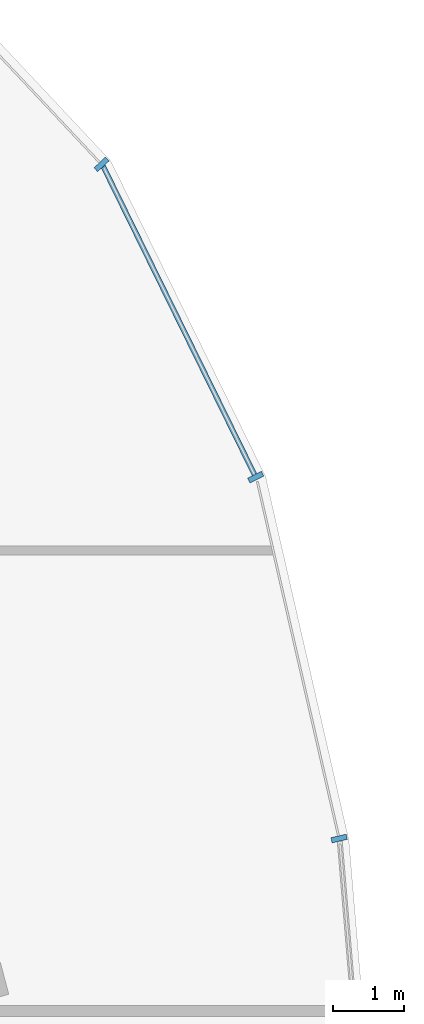
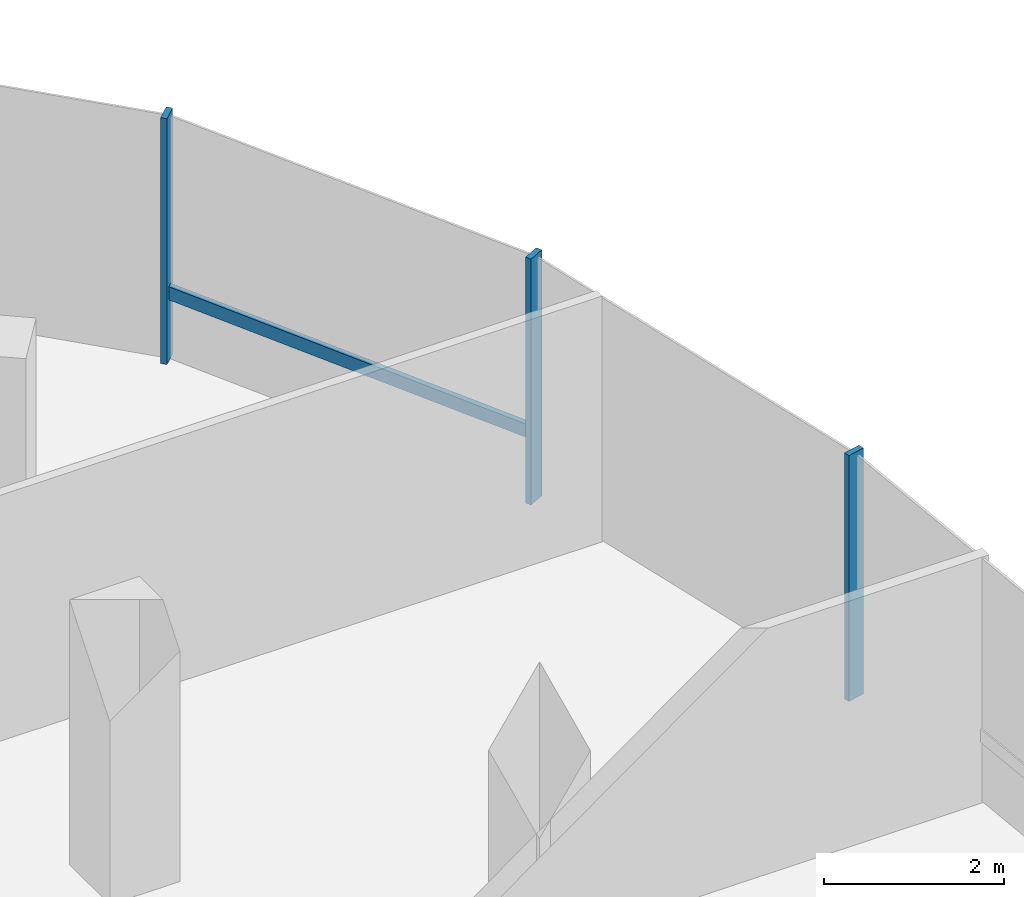
# One storey, part 11 of 26: 4 members, 1 element without a shape of its own.
"""IFC4 building model written with IfcOpenShell, lengths in metres."""

from ifc_helpers import new_model, si_unit, direction, frame, origin, origin_2d, place, context, subcontext, project, spatial, rectangle, extrude, material, material_profile, profile_set, type_object, element, aggregate, save


model = new_model("IFC4")

# Units and contexts
model_context = context("Model", 3, precision=1e-05, world=origin(), true_north=direction((0.0, 1.0)))
body_context = subcontext(model_context, "Body", "Model", "MODEL_VIEW")
ifc_project = project(units=[si_unit("LENGTHUNIT", "METRE"), si_unit("AREAUNIT", "SQUARE_METRE"), si_unit("VOLUMEUNIT", "CUBIC_METRE"), si_unit("PLANEANGLEUNIT", "RADIAN"), si_unit("MASSUNIT", "GRAM", prefix="KILO"), si_unit("THERMODYNAMICTEMPERATUREUNIT", "KELVIN"), si_unit("POWERUNIT", "WATT")], contexts=[model_context])

# Site, building, storey
site_placement = place(None, origin())
site = spatial("IfcSite", under=ifc_project, at=site_placement, CompositionType="ELEMENT")
building_placement = place(site_placement, origin())
building = spatial("IfcBuilding", under=site, at=building_placement, Name="Cundina Bronze Exchange", CompositionType="ELEMENT")
storey_placement = place(building_placement, frame((0.0, 0.0, 243.199951171875)))
storey = spatial("IfcBuildingStorey", under=building, at=storey_placement, Name="L64", CompositionType="ELEMENT", Elevation=243.199951171875)

# Curtain wall, members
ifc_material = material(Name="Anodised Bronze Aluminium 6063-T6", Category="aluminium")
curtain_wall_type = type_object("IfcCurtainWallType", Name="CWS-SKG-BRG", PredefinedType="NOTDEFINED", material=ifc_material)
curtain_wall_placement = place(storey_placement, origin())
curtain_wall = element("IfcCurtainWall", 1, at=curtain_wall_placement, inside=storey, type_object=curtain_wall_type, Name="L64 CW-06 Curtain Wall Run CWR-L64-E1", PredefinedType="NOTDEFINED")
ifc_material_profile_1 = material_profile(ifc_material, rectangle(XDim=0.074951171875, YDim=0.219970703125, at=origin_2d()), Name="AL75X220", Category="aluminium")
ifc_profile_set_1 = profile_set([ifc_material_profile_1], Name="Anodised Bronze Aluminium 6063-T6")
member_type_1 = type_object("IfcMemberType", Name="CWM-MUL-220", PredefinedType="MULLION", material=ifc_profile_set_1)
member_1_placement = place(storey_placement, frame((50.544677734375, 8.4111328125, 0.0), z_axis=(0.0, 0.0, 1.0), x_axis=(-0.223250116011, 0.974761194191, 0.0)))
member_1 = element("IfcMember", 2, at=member_1_placement, type_object=member_type_1, Name="CW-06 Mullion 2", PredefinedType="MULLION", context=body_context, shape_type="SweptSolid", body=[
    extrude(rectangle(XDim=0.074951171875, YDim=0.219970703125, at=origin_2d()), origin(), (0.0, 0.0, 1.0), 3.340087890625),
])
member_2_placement = place(storey_placement, frame((49.369140625, 13.50390625, 0.0), z_axis=(0.0, 0.0, 1.0), x_axis=(-0.440566004113, 0.897720221461, 0.0)))
member_2 = element("IfcMember", 3, at=member_2_placement, type_object=member_type_1, Name="CW-06 Mullion 3", PredefinedType="MULLION", context=body_context, shape_type="SweptSolid", body=[
    extrude(rectangle(XDim=0.074951171875, YDim=0.219970703125, at=origin_2d()), origin(), (0.0, 0.0, 1.0), 3.340087890625),
])
member_3_placement = place(storey_placement, frame((47.1962890625, 17.910400390625, 0.0), z_axis=(0.0, 0.0, 1.0), x_axis=(-0.684292606175, 0.729207535023, 0.0)))
member_3 = element("IfcMember", 4, at=member_3_placement, type_object=member_type_1, Name="CW-06 Mullion 4", PredefinedType="MULLION", context=body_context, shape_type="SweptSolid", body=[
    extrude(rectangle(XDim=0.074951171875, YDim=0.219970703125, at=origin_2d()), origin(), (0.0, 0.0, 1.0), 3.340087890625),
])
ifc_material_profile_2 = material_profile(ifc_material, rectangle(XDim=0.070068359375, YDim=0.179931640625, at=origin_2d()), Name="AL70X180", Category="aluminium")
ifc_profile_set_2 = profile_set([ifc_material_profile_2], Name="Anodised Bronze Aluminium 6063-T6")
member_type_2 = type_object("IfcMemberType", Name="CWM-TRN-180", PredefinedType="USERDEFINED", material=ifc_profile_set_2)
member_4_placement = place(storey_placement, frame((49.35107421875, 13.541015625, 0.920166015625), z_axis=(-0.440554408939, 0.897725911826, 0.0), x_axis=(-0.897725911826, -0.440554408939, 0.0)))
member_4 = element("IfcMember", 5, at=member_4_placement, type_object=member_type_2, Name="CW-06 Spandrel Transom 3", ObjectType="TRANSOM", PredefinedType="USERDEFINED", context=body_context, shape_type="SweptSolid", body=[
    extrude(rectangle(XDim=0.070068359375, YDim=0.179931640625, at=origin_2d()), origin(), (0.0, 0.0, 1.0), 4.848388671875),
])
aggregate(curtain_wall, [member_1, member_2, member_4, member_3])

save(model, "model.ifc")
